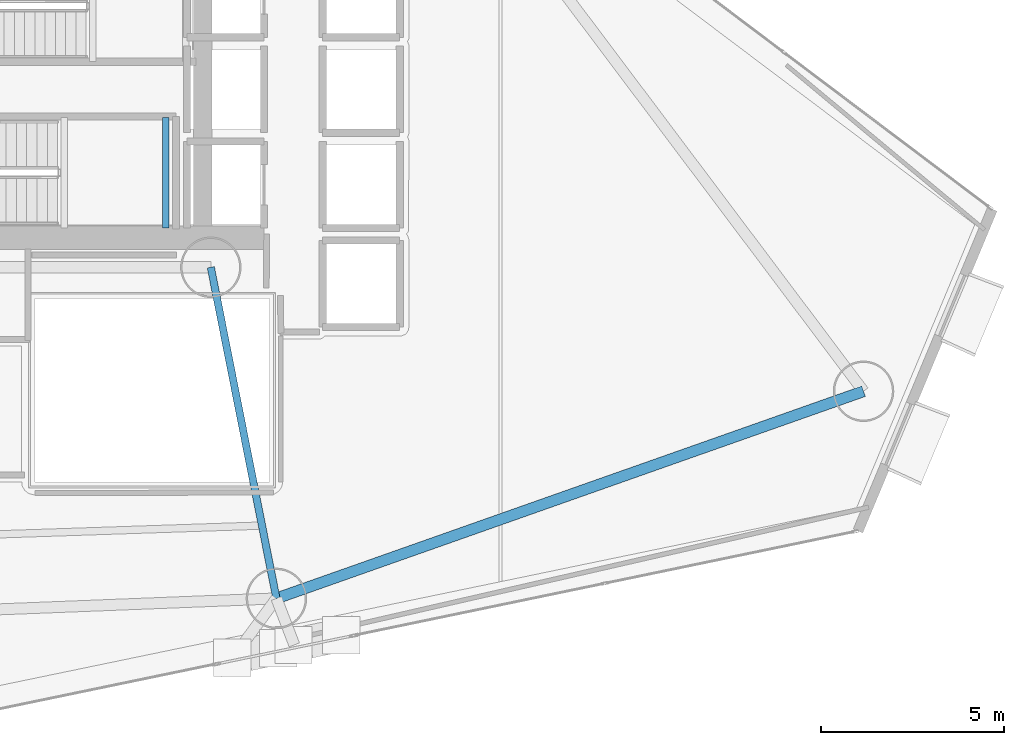
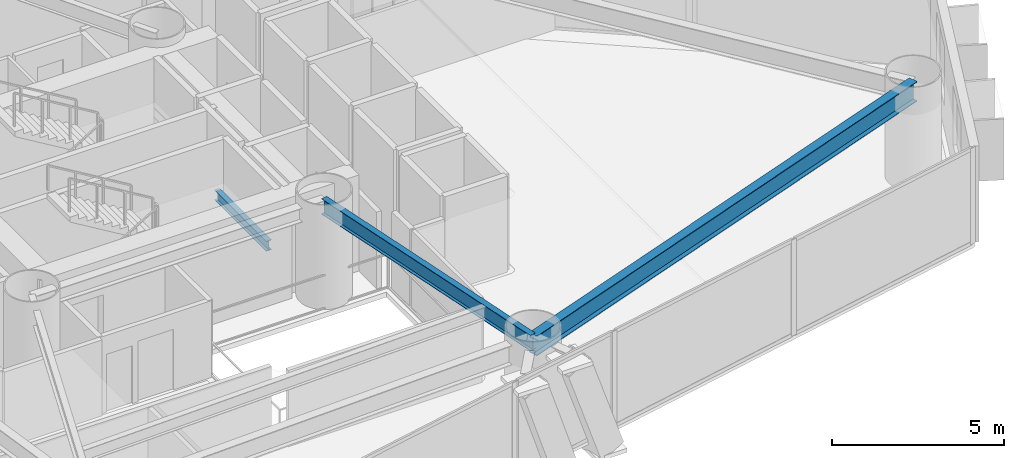
# One storey, part 5 of 22: 3 beams.
"""IFC4 building model written with IfcOpenShell, lengths in metres."""

import ifcopenshell
import ifcopenshell.guid

model = None  # the IFC model being written
_history = None  # IfcOwnerHistory: only IFC2X3 demands one
_inside = {}  # id of a spatial element -> (the spatial element, [elements in it])
_under = {}  # id of a project, library or spatial element -> (it, [spatial elements below it])
_declared = {}  # id of a project -> (the project, [libraries it declares])
_typed = {}  # id of a type object -> (the type object, [elements of that type])
_made_of = {}  # id of a material, layer set ... -> (it, [elements and type objects made of it])


def new_model(schema):
    """Start an empty IFC model of exactly this schema.

    Asked for "IFC4X3", IfcOpenShell would pick the latest addendum, in which some entities
    have other attributes; the version numbers below select the first issue.
    IFC2X3 requires an IfcOwnerHistory on every rooted entity: one is made here for all.
    """
    global model, _history
    if schema == "IFC4X3":
        model = ifcopenshell.file(schema_version=(4, 3, 0, 0))
    else:
        model = ifcopenshell.file(schema=schema)
    _inside.clear()
    _under.clear()
    _declared.clear()
    _typed.clear()
    _made_of.clear()
    _history = None
    if model.schema == "IFC2X3":
        org = make("IfcOrganization", Name="unknown")
        user = make(
            "IfcPersonAndOrganization",
            ThePerson=make("IfcPerson", FamilyName="unknown"),
            TheOrganization=org,
        )
        app = make(
            "IfcApplication",
            ApplicationDeveloper=org,
            Version="unknown",
            ApplicationFullName="unknown",
            ApplicationIdentifier="unknown",
        )
        _history = make(
            "IfcOwnerHistory",
            OwningUser=user,
            OwningApplication=app,
            ChangeAction="ADDED",
            CreationDate=0,
        )
    return model


def make(cls, **values):
    """One entity of the class cls with the attributes given. An attribute that is None is left unset."""
    return model.create_entity(
        cls, **{name: value for name, value in values.items() if value is not None}
    )


def rooted(cls, **values):
    """An entity with a GlobalId (a new one), such as an element, a storey or a relation."""
    return make(cls, GlobalId=ifcopenshell.guid.new(), OwnerHistory=_history, **values)


def si_unit(unit_type, name, prefix=None):
    """IfcSIUnit, for example si_unit("LENGTHUNIT", "METRE", prefix="MILLI")."""
    return make("IfcSIUnit", UnitType=unit_type, Prefix=prefix, Name=name)


def assignment(units):
    """IfcUnitAssignment: the units of a project."""
    return None if units is None else make("IfcUnitAssignment", Units=units)


def point(xyz):
    """IfcCartesianPoint."""
    return None if xyz is None else make("IfcCartesianPoint", Coordinates=xyz)


def direction(xyz):
    """IfcDirection."""
    return None if xyz is None else make("IfcDirection", DirectionRatios=xyz)


def frame(location, z_axis=None, x_axis=None):
    """IfcAxis2Placement3D, a coordinate frame: its origin and axes. An axis left out is left unset."""
    return make(
        "IfcAxis2Placement3D",
        Location=point(location),
        Axis=direction(z_axis),
        RefDirection=direction(x_axis),
    )


def frame_2d(location, x_axis=None):
    """IfcAxis2Placement2D, a coordinate frame in the plane: its origin and x axis."""
    return make(
        "IfcAxis2Placement2D", Location=point(location), RefDirection=direction(x_axis)
    )


def origin():
    """The frame at (0, 0, 0) with its axes left unset."""
    return frame((0.0, 0.0, 0.0))


def origin_2d():
    """The frame at (0, 0) in the plane with its x axis left unset."""
    return frame_2d((0.0, 0.0))


def place(relative_to, where):
    """IfcLocalPlacement: puts the frame where relative to a parent placement (None: the world)."""
    return make(
        "IfcLocalPlacement", PlacementRelTo=relative_to, RelativePlacement=where
    )


def context(
    kind, dimensions, precision=None, world=None, true_north=None, identifier=None
):
    """IfcGeometricRepresentationContext, for example the 3D "Model" context."""
    return make(
        "IfcGeometricRepresentationContext",
        ContextIdentifier=identifier,
        ContextType=kind,
        CoordinateSpaceDimension=dimensions,
        Precision=precision,
        WorldCoordinateSystem=world,
        TrueNorth=true_north,
    )


def subcontext(parent, identifier, kind, view, scale=None):
    """IfcGeometricRepresentationSubContext, for example "Body" below "Model"."""
    return make(
        "IfcGeometricRepresentationSubContext",
        ContextIdentifier=identifier,
        ContextType=kind,
        ParentContext=parent,
        TargetScale=scale,
        TargetView=view,
    )


def project(units=None, contexts=None):
    """IfcProject with its units and contexts."""
    return rooted(
        "IfcProject",
        Name="project",
        RepresentationContexts=contexts,
        UnitsInContext=assignment(units),
    )


def spatial(cls, under=None, at=None, **own):
    """A site, building, storey or space (cls), placed at a placement, below another one or the project."""
    s = rooted(cls, ObjectPlacement=at, **own)
    if under is not None:
        _under.setdefault(under.id(), (under, []))[1].append(s)
    return s


def profile(cls, at=None, kind="AREA", **sizes):
    """A parametric profile (cls). Its sizes go by their IFC names, for example OverallWidth=200.0."""
    return make(cls, ProfileType=kind, Position=at, **sizes)


def i_section(**sizes):
    """IfcIShapeProfileDef."""
    return profile("IfcIShapeProfileDef", **sizes)


def extrude(swept, where, along, depth):
    """IfcExtrudedAreaSolid: the profile swept, set in the frame where, extruded along a direction by depth."""
    return make(
        "IfcExtrudedAreaSolid",
        SweptArea=swept,
        Position=where,
        ExtrudedDirection=direction(along),
        Depth=depth,
    )


def shape(context_of_items, identifier, shape_type, items):
    """IfcShapeRepresentation: the items that make up one representation, for example the "Body"."""
    return make(
        "IfcShapeRepresentation",
        ContextOfItems=context_of_items,
        RepresentationIdentifier=identifier,
        RepresentationType=shape_type,
        Items=items,
    )


def material(Name=None, Category=None):
    """IfcMaterial."""
    return make("IfcMaterial", Name=Name, Category=Category)


def material_profile(
    of_material, cross_section, Name=None, Category=None, Priority=None
):
    """IfcMaterialProfile: a cross section and its material."""
    return make(
        "IfcMaterialProfile",
        Name=Name,
        Material=of_material,
        Profile=cross_section,
        Priority=Priority,
        Category=Category,
    )


def profile_set(profiles, Name=None, composite=None):
    """IfcMaterialProfileSet."""
    return make(
        "IfcMaterialProfileSet",
        Name=Name,
        MaterialProfiles=profiles,
        CompositeProfile=composite,
    )


def made_of(thing, what):
    """Note that an element or type object is made of a material, layer set ...; save() writes the relation."""
    if what is not None:
        _made_of.setdefault(what.id(), (what, []))[1].append(thing)
    return thing


def type_object(cls, material=None, **own):
    """A type object (cls), such as IfcWallType, which elements share."""
    return made_of(rooted(cls, **own), material)


def element(
    cls,
    number,
    at=None,
    inside=None,
    cuts=None,
    type_object=None,
    material=None,
    context=None,
    identifier="Body",
    shape_type=None,
    held_by="IfcProductDefinitionShape",
    body=None,
    shapes=None,
    **own,
):
    """One element of the class cls, such as IfcWall. Its Tag is "e" and its number.

    at: its placement. inside: the storey or other place that contains it. cuts: it is an
    opening in that element (IfcRelVoidsElement). A single representation is given by context,
    identifier, shape_type and body (its items); several are given by shapes. held_by: the class
    of the entity that holds the representations. save() writes the other relations.
    """
    e = rooted(cls, Tag="e%d" % number, ObjectPlacement=at, **own)
    if body is not None:
        shapes = [shape(context, identifier, shape_type, body)]
    if shapes is not None:
        e.Representation = make(held_by, Representations=shapes)
    if inside is not None:
        _inside.setdefault(inside.id(), (inside, []))[1].append(e)
    if cuts is not None:
        rooted(
            "IfcRelVoidsElement", RelatingBuildingElement=cuts, RelatedOpeningElement=e
        )
    if type_object is not None:
        _typed.setdefault(type_object.id(), (type_object, []))[1].append(e)
    return made_of(e, material)


def aggregate(whole, parts):
    """IfcRelAggregates: a whole, such as a stair, and the parts it consists of."""
    return rooted("IfcRelAggregates", RelatingObject=whole, RelatedObjects=parts)


def save(model, path):
    """Write the relations noted so far, then the file.

    IfcRelAggregates (storeys below a building ...), IfcRelContainedInSpatialStructure (elements
    in a storey), IfcRelDefinesByType, IfcRelAssociatesMaterial and IfcRelDeclares: one each for
    every whole, place, type object, material and project.
    """
    for whole, parts in _under.values():
        aggregate(whole, parts)
    for where, things in _inside.values():
        rooted(
            "IfcRelContainedInSpatialStructure",
            RelatedElements=things,
            RelatingStructure=where,
        )
    for kind, things in _typed.values():
        rooted("IfcRelDefinesByType", RelatedObjects=things, RelatingType=kind)
    for what, things in _made_of.values():
        rooted("IfcRelAssociatesMaterial", RelatedObjects=things, RelatingMaterial=what)
    for by, libraries in _declared.values():
        rooted("IfcRelDeclares", RelatingContext=by, RelatedDefinitions=libraries)
    model.write(path)


model = new_model("IFC4")

# Units and contexts
model_context = context("Model", 3, precision=1e-05, world=origin(), true_north=direction((0.0, 1.0)))
body_context = subcontext(model_context, "Body", "Model", "MODEL_VIEW")
ifc_project = project(units=[si_unit("LENGTHUNIT", "METRE"), si_unit("AREAUNIT", "SQUARE_METRE"), si_unit("VOLUMEUNIT", "CUBIC_METRE"), si_unit("PLANEANGLEUNIT", "RADIAN"), si_unit("MASSUNIT", "GRAM", prefix="KILO")], contexts=[model_context])

# Site, building, storey
site_placement = place(None, origin())
site = spatial("IfcSite", under=ifc_project, at=site_placement, CompositionType="ELEMENT")
building_placement = place(site_placement, origin())
building = spatial("IfcBuilding", under=site, at=building_placement, Name="Qianvela Tower", CompositionType="ELEMENT")
storey_placement = place(building_placement, frame((0.0, 0.0, 89.5)))
storey = spatial("IfcBuildingStorey", under=building, at=storey_placement, Name="L22", CompositionType="ELEMENT", Elevation=89.5)

# Beams
ifc_material_1 = material(Name="Steel Q355B", Category="steel")
ifc_material_profile_1 = material_profile(ifc_material_1, i_section(OverallWidth=0.175048828125, OverallDepth=0.35009765625, WebThickness=0.007080078125, FlangeThickness=0.010986328125, at=origin_2d()), Name="HN350x175x7x11")
ifc_profile_set_1 = profile_set([ifc_material_profile_1], Name="Steel Q355B")
beam_type_1 = type_object("IfcBeamType", Name="BM-HN350-JOIST", PredefinedType="JOIST", material=ifc_profile_set_1)
beam_1_placement = place(storey_placement, frame((37.169921875, 24.919921875, 1.47509765625), z_axis=(0.0, 1.0, 0.0), x_axis=(-1.0, 0.0, 0.0)))
element("IfcBeam", 1, at=beam_1_placement, inside=storey, type_object=beam_type_1, Name="L22 Stair ST-2 Landing Support Beam 1.2", PredefinedType="JOIST", context=body_context, shape_type="SweptSolid", body=[
    extrude(i_section(OverallWidth=0.175048828125, OverallDepth=0.35009765625, WebThickness=0.007080078125, FlangeThickness=0.010986328125, at=origin_2d()), origin(), (0.0, 0.0, 1.0), 3.02001953125),
])
ifc_material_2 = material(Name="Steel Q355B", Category="steel")
ifc_material_profile_2 = material_profile(ifc_material_2, i_section(OverallWidth=0.199951171875, OverallDepth=0.550048828125, WebThickness=0.010009765625, FlangeThickness=0.01611328125, at=origin_2d()), Name="HN550x200x10x16")
ifc_profile_set_2 = profile_set([ifc_material_profile_2], Name="Steel Q355B")
beam_type_2 = type_object("IfcBeamType", Name="BM-HN550-GIRD", PredefinedType="BEAM", material=ifc_profile_set_2)
beam_2_placement = place(storey_placement, frame((38.39990234375, 23.85009765625, 3.123046875), z_axis=(0.194325825688, -0.980937038485, 0.0), x_axis=(0.980937038485, 0.194325825688, 0.0)))
element("IfcBeam", 2, at=beam_2_placement, inside=storey, type_object=beam_type_2, Name="L22 Radial Primary Floor Girder 6", PredefinedType="BEAM", context=body_context, shape_type="SweptSolid", body=[
    extrude(i_section(OverallWidth=0.199951171875, OverallDepth=0.550048828125, WebThickness=0.010009765625, FlangeThickness=0.01611328125, at=origin_2d()), origin(), (0.0, 0.0, 1.0), 9.20654296875),
])
ifc_material_3 = material(Name="Steel Q355B", Category="steel")
ifc_material_profile_3 = material_profile(ifc_material_3, i_section(OverallWidth=0.300048828125, OverallDepth=0.699951171875, WebThickness=0.012939453125, FlangeThickness=0.02392578125, at=origin_2d()), Name="HN700x300x13x24")
ifc_profile_set_3 = profile_set([ifc_material_profile_3], Name="Steel Q355B")
beam_type_3 = type_object("IfcBeamType", Name="BM-HN700-SPAND", PredefinedType="SPANDREL", material=ifc_profile_set_3)
beam_3_placement = place(storey_placement, frame((40.18896484375, 14.819091796875, 3.048095703125), z_axis=(0.943021125648, 0.332732860687, 0.0), x_axis=(-0.332732860687, 0.943021125648, 0.0)))
element("IfcBeam", 3, at=beam_3_placement, inside=storey, type_object=beam_type_3, Name="L22 Perimeter Ring Spandrel Girder 6", PredefinedType="SPANDREL", context=body_context, shape_type="SweptSolid", body=[
    extrude(i_section(OverallWidth=0.300048828125, OverallDepth=0.699951171875, WebThickness=0.012939453125, FlangeThickness=0.02392578125, at=origin_2d()), origin(), (0.0, 0.0, 1.0), 16.977294921875),
])

save(model, "model.ifc")
